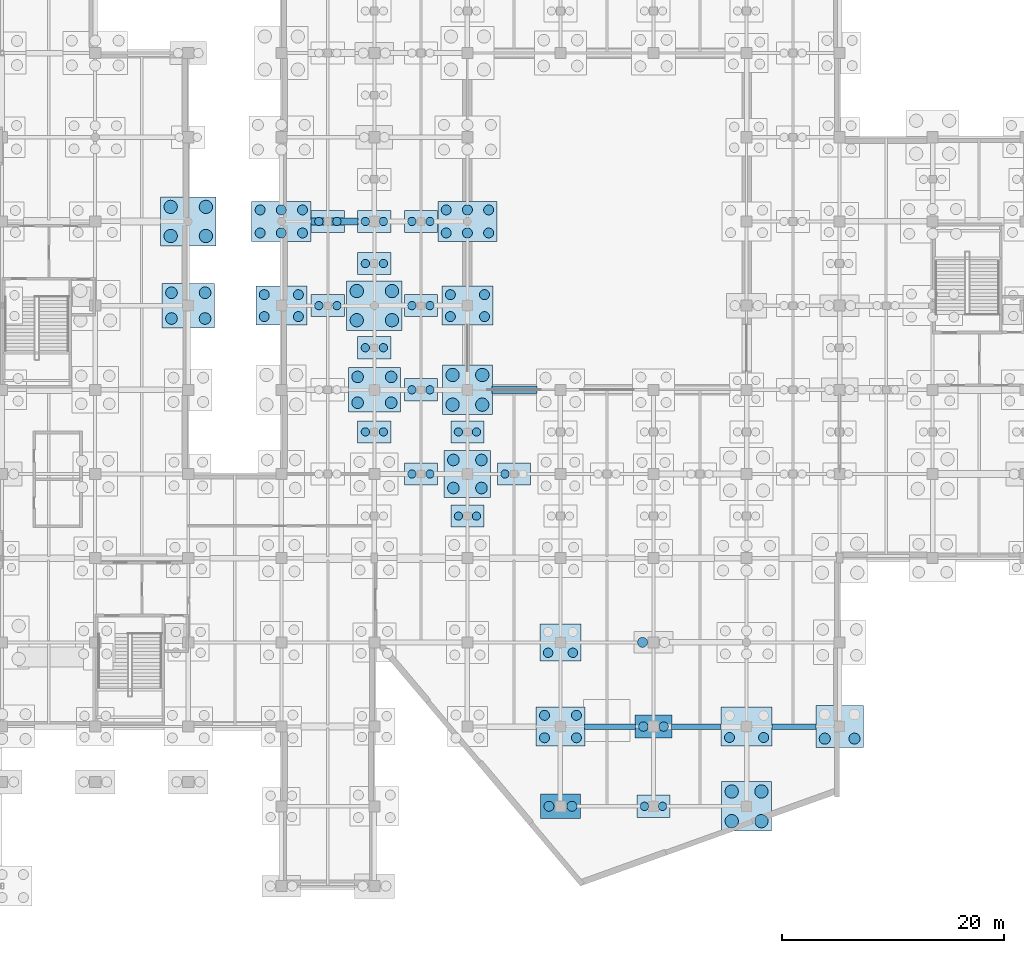
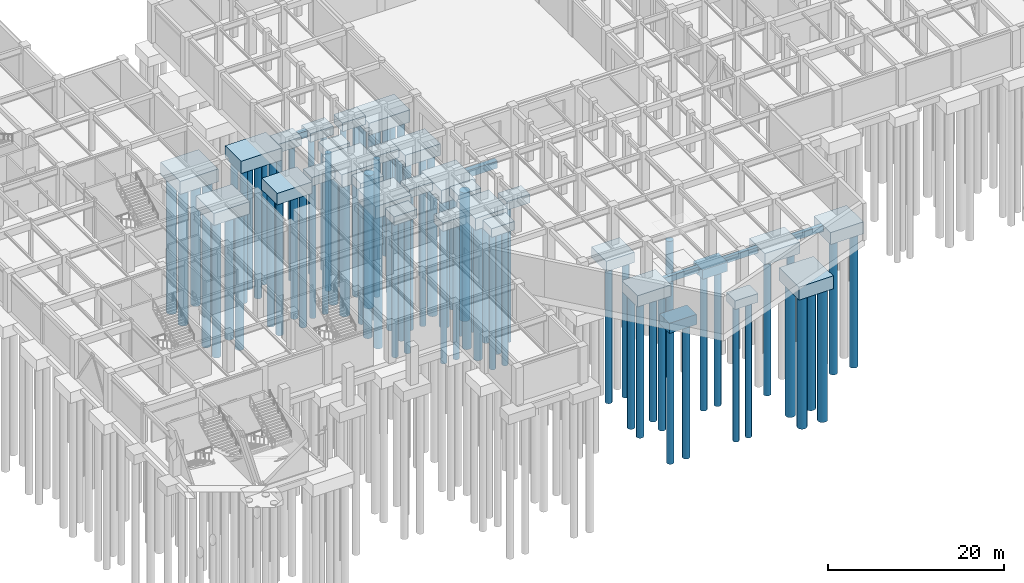
# One storey, part 4 of 52: 90 piles, 36 footings.
"""IFC4 building model written with IfcOpenShell, lengths in metres."""

from ifc_helpers import new_model, si_unit, direction, frame, origin, origin_2d, place, context, subcontext, project, spatial, rectangle, circle, extrude, material, material_profile, profile_set, type_object, element, save


model = new_model("IFC4")

# Units and contexts
model_context = context("Model", 3, precision=1e-05, world=origin(), true_north=direction((0.0, 1.0)))
body_context = subcontext(model_context, "Body", "Model", "MODEL_VIEW")
ifc_project = project(units=[si_unit("LENGTHUNIT", "METRE"), si_unit("AREAUNIT", "SQUARE_METRE"), si_unit("VOLUMEUNIT", "CUBIC_METRE"), si_unit("PLANEANGLEUNIT", "RADIAN"), si_unit("MASSUNIT", "GRAM", prefix="KILO")], contexts=[model_context])

# Site, building, storey
site_placement = place(None, origin())
site = spatial("IfcSite", under=ifc_project, at=site_placement, CompositionType="ELEMENT")
building_placement = place(site_placement, origin())
building = spatial("IfcBuilding", under=site, at=building_placement, Name="Xicomal Pleat Aquarium", CompositionType="ELEMENT")
storey_placement = place(building_placement, frame((0.0, 0.0, -5.39990234375)))
storey = spatial("IfcBuildingStorey", under=building, at=storey_placement, Name="B1", CompositionType="ELEMENT", Elevation=-5.39990234375)

# Footings
ifc_material_1 = material(Name="Concrete C40/50", Category="concrete")
ifc_material_profile_1 = material_profile(ifc_material_1, rectangle(XDim=0.5, YDim=0.800048828125, at=origin_2d()), Name="FB-01 500x800")
ifc_profile_set_1 = profile_set([ifc_material_profile_1], Name="Concrete C40/50")
footing_type_1 = type_object("IfcFootingType", Name="FTG-FB-500x800", PredefinedType="FOOTING_BEAM", material=ifc_profile_set_1)
footing_1_placement = place(storey_placement, frame((71.18994140625, 15.199951171875, -1.35009765625), z_axis=(1.0, 0.0, 0.0), x_axis=(0.0, 1.0, 0.0)))
element("IfcFooting", 1, at=footing_1_placement, inside=storey, type_object=footing_type_1, Name="Foundation tie beam 09-10/C", PredefinedType="FOOTING_BEAM", context=body_context, shape_type="SweptSolid", body=[
    extrude(rectangle(XDim=0.5, YDim=0.800048828125, at=origin_2d()), origin(), (0.0, 0.0, 1.0), 4.570068359375),
])
footing_2_placement = place(storey_placement, frame((79.0400390625, 15.199951171875, -1.35009765625), z_axis=(1.0, 0.0, 0.0), x_axis=(0.0, 1.0, 0.0)))
element("IfcFooting", 2, at=footing_2_placement, inside=storey, type_object=footing_type_1, Name="Foundation tie beam 10-11/C", PredefinedType="FOOTING_BEAM", context=body_context, shape_type="SweptSolid", body=[
    extrude(rectangle(XDim=0.5, YDim=0.800048828125, at=origin_2d()), origin(), (0.0, 0.0, 1.0), 4.469970703125),
])
footing_3_placement = place(storey_placement, frame((88.090087890625, 15.199951171875, -1.35009765625), z_axis=(1.0, 0.0, 0.0), x_axis=(0.0, 1.0, 0.0)))
element("IfcFooting", 3, at=footing_3_placement, inside=storey, type_object=footing_type_1, Name="Foundation tie beam 11-12/C", PredefinedType="FOOTING_BEAM", context=body_context, shape_type="SweptSolid", body=[
    extrude(rectangle(XDim=0.5, YDim=0.800048828125, at=origin_2d()), origin(), (0.0, 0.0, 1.0), 3.969970703125),
])
ifc_material_2 = material(Name="Concrete C40/50", Category="concrete")
ifc_material_profile_2 = material_profile(ifc_material_2, rectangle(XDim=0.60009765625, YDim=0.89990234375, at=origin_2d()), Name="FB-02 600x900")
ifc_profile_set_2 = profile_set([ifc_material_profile_2], Name="Concrete C40/50")
footing_type_2 = type_object("IfcFootingType", Name="FTG-FB-600x900", PredefinedType="FOOTING_BEAM", material=ifc_profile_set_2)
footing_4_placement = place(storey_placement, frame((46.465087890625, 60.800048828125, -1.400146484375), z_axis=(1.0, 0.0, 0.0), x_axis=(0.0, 1.0, 0.0)))
element("IfcFooting", 4, at=footing_4_placement, inside=storey, type_object=footing_type_2, Name="Foundation tie beam 06-07/J", PredefinedType="FOOTING_BEAM", context=body_context, shape_type="SweptSolid", body=[
    extrude(rectangle(XDim=0.60009765625, YDim=0.89990234375, at=origin_2d()), origin(), (0.0, 0.0, 1.0), 4.244873046875),
])
ifc_material_3 = material(Name="Concrete C40/50", Category="concrete")
ifc_material_profile_3 = material_profile(ifc_material_3, rectangle(XDim=0.64990234375, YDim=1.0, at=origin_2d()), Name="FB-03 650x1000")
ifc_profile_set_3 = profile_set([ifc_material_profile_3], Name="Concrete C40/50")
footing_type_3 = type_object("IfcFootingType", Name="FTG-FB-650x1000", PredefinedType="FOOTING_BEAM", material=ifc_profile_set_3)
footing_5_placement = place(storey_placement, frame((62.840087890625, 45.60009765625, -2.050048828125), z_axis=(1.0, 0.0, 0.0), x_axis=(0.0, 1.0, 0.0)))
element("IfcFooting", 5, at=footing_5_placement, inside=storey, type_object=footing_type_3, Name="Foundation tie beam 08-09/G", PredefinedType="FOOTING_BEAM", context=body_context, shape_type="SweptSolid", body=[
    extrude(rectangle(XDim=0.64990234375, YDim=1.0, at=origin_2d()), origin(), (0.0, 0.0, 1.0), 4.02001953125),
])
ifc_material_4 = material(Name="Concrete C40/50", Category="concrete")
footing_type_4 = type_object("IfcFootingType", Name="FTG-PC-3000x2000x1200", PredefinedType="PILE_CAP", material=ifc_material_4)
for number, where, z_axis, x_axis, name in (
    (6, (52.199951171875, 60.800048828125, -2.14990234375), (0.0, 0.0, 1.0), (1.0, 0.0, 0.0), "Pile cap 07-J"),
    (7, (77.39990234375, 8.0, -2.14990234375), (0.0, 0.0, 1.0), (1.0, 0.0, 0.0), "Pile cap 10-B"),
    (8, (48.0, 53.199951171875, -2.14990234375), (0.0, 0.0, 1.0), (1.0, 0.0, 0.0), "Pile cap SUB-03"),
    (9, (48.0, 60.800048828125, -2.14990234375), (0.0, 0.0, 1.0), (1.0, 0.0, 0.0), "Pile cap SUB-04"),
    (10, (56.39990234375, 38.0, -2.14990234375), (0.0, 0.0, 1.0), (1.0, 0.0, 0.0), "Pile cap SUB-06"),
    (11, (56.39990234375, 45.60009765625, -2.14990234375), (0.0, 0.0, 1.0), (1.0, 0.0, 0.0), "Pile cap SUB-07"),
    (12, (56.39990234375, 53.199951171875, -2.14990234375), (0.0, 0.0, 1.0), (1.0, 0.0, 0.0), "Pile cap SUB-08"),
    (13, (56.39990234375, 60.800048828125, -2.14990234375), (0.0, 0.0, 1.0), (1.0, 0.0, 0.0), "Pile cap SUB-09"),
    (14, (64.800048828125, 38.0, -2.14990234375), (0.0, 0.0, 1.0), (1.0, 0.0, 0.0), "Pile cap SUB-11"),
    (15, (52.199951171875, 41.800048828125, -2.14990234375), (0.0, 0.0, 1.0), (1.0, 0.0, 0.0), "Pile cap SUB-35"),
    (16, (52.199951171875, 49.39990234375, -2.14990234375), (0.0, 0.0, 1.0), (1.0, 0.0, 0.0), "Pile cap SUB-36"),
    (17, (52.199951171875, 57.0, -2.14990234375), (0.0, 0.0, 1.0), (1.0, 0.0, 0.0), "Pile cap SUB-37"),
    (18, (60.60009765625, 34.199951171875, -2.14990234375), (0.0, 0.0, 1.0), (1.0, 0.0, 0.0), "Pile cap SUB-41"),
    (19, (60.60009765625, 41.800048828125, -2.14990234375), (0.0, 0.0, 1.0), (1.0, 0.0, 0.0), "Pile cap SUB-42"),
):
    element("IfcFooting", number, at=place(storey_placement, frame(where, z_axis=z_axis, x_axis=x_axis)), inside=storey, type_object=footing_type_4, Name=name, PredefinedType="PILE_CAP", context=body_context, shape_type="SweptSolid", body=[
        extrude(rectangle(XDim=3.0, YDim=2.0, at=origin_2d()), origin(), (0.0, 0.0, 1.0), 1.199951171875),
    ])
ifc_material_5 = material(Name="Concrete C40/50", Category="concrete")
footing_type_5 = type_object("IfcFootingType", Name="FTG-PC-3300x2100x1300", PredefinedType="PILE_CAP", material=ifc_material_5)
footing_6_placement = place(storey_placement, frame((77.39990234375, 15.199951171875, -2.25), z_axis=(0.0, 0.0, 1.0), x_axis=(1.0, 0.0, 0.0)))
element("IfcFooting", 20, at=footing_6_placement, inside=storey, type_object=footing_type_5, Name="Pile cap 10-C", PredefinedType="PILE_CAP", context=body_context, shape_type="SweptSolid", body=[
    extrude(rectangle(XDim=3.300048828125, YDim=2.10009765625, at=origin_2d()), origin(), (0.0, 0.0, 1.0), 1.300048828125),
])
ifc_material_6 = material(Name="Concrete C40/50", Category="concrete")
footing_type_6 = type_object("IfcFootingType", Name="FTG-PC-3600x2200x1400", PredefinedType="PILE_CAP", material=ifc_material_6)
footing_7_placement = place(storey_placement, frame((69.0, 8.0, -2.35009765625), z_axis=(0.0, 0.0, 1.0), x_axis=(1.0, 0.0, 0.0)))
element("IfcFooting", 21, at=footing_7_placement, inside=storey, type_object=footing_type_6, Name="Pile cap 09-B", PredefinedType="PILE_CAP", context=body_context, shape_type="SweptSolid", body=[
    extrude(rectangle(XDim=3.60009765625, YDim=2.199951171875, at=origin_2d()), origin(), (0.0, 0.0, 1.0), 1.39990234375),
])
ifc_material_7 = material(Name="Concrete C40/50", Category="concrete")
footing_type_7 = type_object("IfcFootingType", Name="FTG-PC-3700x3350x1450", PredefinedType="PILE_CAP", material=ifc_material_7)
footing_8_placement = place(storey_placement, frame((69.0, 22.800048828125, -2.39990234375), z_axis=(0.0, 0.0, 1.0), x_axis=(1.0, 0.0, 0.0)))
element("IfcFooting", 22, at=footing_8_placement, inside=storey, type_object=footing_type_7, Name="Pile cap 09-D", PredefinedType="PILE_CAP", context=body_context, shape_type="SweptSolid", body=[
    extrude(rectangle(XDim=3.699951171875, YDim=3.35009765625, at=origin_2d()), origin(), (0.0, 0.0, 1.0), 1.449951171875),
])
ifc_material_8 = material(Name="Concrete C40/50", Category="concrete")
footing_type_8 = type_object("IfcFootingType", Name="FTG-PC-4200x4200x1650", PredefinedType="PILE_CAP", material=ifc_material_8)
footing_9_placement = place(storey_placement, frame((60.60009765625, 38.0, -2.60009765625), z_axis=(0.0, 0.0, 1.0), x_axis=(1.0, 0.0, 0.0)))
element("IfcFooting", 23, at=footing_9_placement, inside=storey, type_object=footing_type_8, Name="Pile cap 08-F", PredefinedType="PILE_CAP", context=body_context, shape_type="SweptSolid", body=[
    extrude(rectangle(XDim=4.199951171875, YDim=4.199951171875, at=origin_2d()), origin(), (0.0, 0.0, 1.0), 1.64990234375),
])
ifc_material_9 = material(Name="Concrete C40/50", Category="concrete")
footing_type_9 = type_object("IfcFootingType", Name="FTG-PC-4300x3800x1650", PredefinedType="PILE_CAP", material=ifc_material_9)
footing_10_placement = place(storey_placement, frame((94.199951171875, 15.199951171875, -2.60009765625), z_axis=(0.0, 0.0, 1.0), x_axis=(1.0, 0.0, 0.0)))
element("IfcFooting", 24, at=footing_10_placement, inside=storey, type_object=footing_type_9, Name="Pile cap 12-C", PredefinedType="PILE_CAP", context=body_context, shape_type="SweptSolid", body=[
    extrude(rectangle(XDim=4.300048828125, YDim=3.800048828125, at=origin_2d()), origin(), (0.0, 0.0, 1.0), 1.64990234375),
])
ifc_material_10 = material(Name="Concrete C40/50", Category="concrete")
footing_type_10 = type_object("IfcFootingType", Name="FTG-PC-4400x3550x1550", PredefinedType="PILE_CAP", material=ifc_material_10)
footing_11_placement = place(storey_placement, frame((69.0, 15.199951171875, -2.5), z_axis=(0.0, 0.0, 1.0), x_axis=(1.0, 0.0, 0.0)))
element("IfcFooting", 25, at=footing_11_placement, inside=storey, type_object=footing_type_10, Name="Pile cap 09-C", PredefinedType="PILE_CAP", context=body_context, shape_type="SweptSolid", body=[
    extrude(rectangle(XDim=4.39990234375, YDim=3.550048828125, at=origin_2d()), origin(), (0.0, 0.0, 1.0), 1.550048828125),
])
ifc_material_11 = material(Name="Concrete C40/50", Category="concrete")
footing_type_11 = type_object("IfcFootingType", Name="FTG-PC-4500x4500x1800", PredefinedType="PILE_CAP", material=ifc_material_11)
for number, where, z_axis, x_axis, name in (
    (26, (60.60009765625, 45.60009765625, -3.35009765625), (0.0, 0.0, 1.0), (1.0, 0.0, 0.0), "Pile cap 08-G"),
    (27, (85.800048828125, 8.0, -2.75), (0.0, 0.0, 1.0), (1.0, 0.0, 0.0), "Pile cap 11-B"),
):
    element("IfcFooting", number, at=place(storey_placement, frame(where, z_axis=z_axis, x_axis=x_axis)), inside=storey, type_object=footing_type_11, Name=name, PredefinedType="PILE_CAP", context=body_context, shape_type="SweptSolid", body=[
        extrude(rectangle(XDim=4.5, YDim=4.5, at=origin_2d()), origin(), (0.0, 0.0, 1.0), 1.800048828125),
    ])
ifc_material_12 = material(Name="Concrete C40/50", Category="concrete")
footing_type_12 = type_object("IfcFootingType", Name="FTG-PC-4600x3500x1600", PredefinedType="PILE_CAP", material=ifc_material_12)
for number, where, z_axis, x_axis, name in (
    (28, (43.800048828125, 53.199951171875, -2.550048828125), (0.0, 0.0, 1.0), (1.0, 0.0, 0.0), "Pile cap 06-H"),
    (29, (60.60009765625, 53.199951171875, -3.150146484375), (0.0, 0.0, 1.0), (1.0, 0.0, 0.0), "Pile cap 08-H"),
    (30, (85.800048828125, 15.199951171875, -2.550048828125), (0.0, 0.0, 1.0), (1.0, 0.0, 0.0), "Pile cap 11-C"),
):
    element("IfcFooting", number, at=place(storey_placement, frame(where, z_axis=z_axis, x_axis=x_axis)), inside=storey, type_object=footing_type_12, Name=name, PredefinedType="PILE_CAP", context=body_context, shape_type="SweptSolid", body=[
        extrude(rectangle(XDim=4.60009765625, YDim=3.5, at=origin_2d()), origin(), (0.0, 0.0, 1.0), 1.60009765625),
    ])
ifc_material_13 = material(Name="Concrete C40/50", Category="concrete")
footing_type_13 = type_object("IfcFootingType", Name="FTG-PC-4700x4000x1700", PredefinedType="PILE_CAP", material=ifc_material_13)
for number, where, z_axis, x_axis, name in (
    (31, (35.39990234375, 53.199951171875, -2.30029296875), (0.0, 0.0, 1.0), (1.0, 0.0, 0.0), "Pile cap 05-H"),
    (32, (52.199951171875, 45.60009765625, -2.64990234375), (0.0, 0.0, 1.0), (1.0, 0.0, 0.0), "Pile cap 07-G"),
):
    element("IfcFooting", number, at=place(storey_placement, frame(where, z_axis=z_axis, x_axis=x_axis)), inside=storey, type_object=footing_type_13, Name=name, PredefinedType="PILE_CAP", context=body_context, shape_type="SweptSolid", body=[
        extrude(rectangle(XDim=4.699951171875, YDim=4.0, at=origin_2d()), origin(), (0.0, 0.0, 1.0), 1.699951171875),
    ])
ifc_material_14 = material(Name="Concrete C40/50", Category="concrete")
footing_type_14 = type_object("IfcFootingType", Name="FTG-PC-5000x4450x1800", PredefinedType="PILE_CAP", material=ifc_material_14)
for number, where, z_axis, x_axis, name in (
    (33, (35.39990234375, 60.800048828125, -2.39990234375), (0.0, 0.0, 1.0), (1.0, 0.0, 0.0), "Pile cap 05-J"),
    (34, (52.199951171875, 53.199951171875, -2.75), (0.0, 0.0, 1.0), (1.0, 0.0, 0.0), "Pile cap 07-H"),
):
    element("IfcFooting", number, at=place(storey_placement, frame(where, z_axis=z_axis, x_axis=x_axis)), inside=storey, type_object=footing_type_14, Name=name, PredefinedType="PILE_CAP", context=body_context, shape_type="SweptSolid", body=[
        extrude(rectangle(XDim=5.0, YDim=4.449951171875, at=origin_2d()), origin(), (0.0, 0.0, 1.0), 1.800048828125),
    ])
ifc_material_15 = material(Name="Concrete C40/50", Category="concrete")
footing_type_15 = type_object("IfcFootingType", Name="FTG-PC-5350x3600x1700", PredefinedType="PILE_CAP", material=ifc_material_15)
for number, where, z_axis, x_axis, name in (
    (35, (43.800048828125, 60.800048828125, -2.64990234375), (0.0, 0.0, 1.0), (1.0, 0.0, 0.0), "Pile cap 06-J"),
    (36, (60.60009765625, 60.800048828125, -3.25), (0.0, 0.0, 1.0), (1.0, 0.0, 0.0), "Pile cap 08-J"),
):
    element("IfcFooting", number, at=place(storey_placement, frame(where, z_axis=z_axis, x_axis=x_axis)), inside=storey, type_object=footing_type_15, Name=name, PredefinedType="PILE_CAP", context=body_context, shape_type="SweptSolid", body=[
        extrude(rectangle(XDim=5.35009765625, YDim=3.60009765625, at=origin_2d()), origin(), (0.0, 0.0, 1.0), 1.699951171875),
    ])

# Piles
ifc_material_16 = material(Name="Concrete C40/50", Category="concrete")
ifc_material_profile_4 = material_profile(ifc_material_16, circle(Radius=0.5, at=origin_2d()), Name="BORED PILE D1000")
ifc_profile_set_4 = profile_set([ifc_material_profile_4], Name="Concrete C40/50")
pile_type_1 = type_object("IfcPileType", Name="PIL-B-1000", PredefinedType="BORED", material=ifc_profile_set_4)
for number, where, z_axis, x_axis, name in (
    (37, (92.860107421875, 14.110107421875, -2.5), (0.0, 0.0, -1.0), (1.0, 0.0, 0.0), "Bored pile 12-C-1"),
    (38, (95.5400390625, 14.110107421875, -2.5), (0.0, 0.0, -1.0), (1.0, 0.0, 0.0), "Bored pile 12-C-2"),
):
    element("IfcPile", number, at=place(storey_placement, frame(where, z_axis=z_axis, x_axis=x_axis)), inside=storey, type_object=pile_type_1, Name=name, PredefinedType="BORED", context=body_context, shape_type="SweptSolid", body=[
        extrude(circle(Radius=0.5, at=origin_2d()), origin(), (0.0, 0.0, 1.0), 18.60009765625),
    ])
ifc_material_17 = material(Name="Concrete C40/50", Category="concrete")
ifc_material_profile_5 = material_profile(ifc_material_17, circle(Radius=0.52490234375, at=origin_2d()), Name="BORED PILE D1050")
ifc_profile_set_5 = profile_set([ifc_material_profile_5], Name="Concrete C40/50")
pile_type_2 = type_object("IfcPileType", Name="PIL-B-1050", PredefinedType="BORED", material=ifc_profile_set_5)
for number, where, z_axis, x_axis, name in (
    (39, (33.885009765625, 52.034912109375, -2.2001953125), (0.0, 0.0, -1.0), (1.0, 0.0, 0.0), "Bored pile 05-H-1"),
    (40, (36.9150390625, 52.034912109375, -2.2001953125), (0.0, 0.0, -1.0), (1.0, 0.0, 0.0), "Bored pile 05-H-2"),
    (41, (33.885009765625, 54.364990234375, -2.2001953125), (0.0, 0.0, -1.0), (1.0, 0.0, 0.0), "Bored pile 05-H-3"),
    (42, (36.9150390625, 54.364990234375, -2.2001953125), (0.0, 0.0, -1.0), (1.0, 0.0, 0.0), "Bored pile 05-H-4"),
):
    element("IfcPile", number, at=place(storey_placement, frame(where, z_axis=z_axis, x_axis=x_axis)), inside=storey, type_object=pile_type_2, Name=name, PredefinedType="BORED", context=body_context, shape_type="SweptSolid", body=[
        extrude(circle(Radius=0.52490234375, at=origin_2d()), origin(), (0.0, 0.0, 1.0), 18.89990234375),
    ])
for number, where, z_axis, x_axis, name in (
    (43, (50.68505859375, 44.43505859375, -2.550048828125), (0.0, 0.0, -1.0), (1.0, 0.0, 0.0), "Bored pile 07-G-1"),
    (44, (53.715087890625, 44.43505859375, -2.550048828125), (0.0, 0.0, -1.0), (1.0, 0.0, 0.0), "Bored pile 07-G-2"),
    (45, (50.68505859375, 46.764892578125, -2.550048828125), (0.0, 0.0, -1.0), (1.0, 0.0, 0.0), "Bored pile 07-G-3"),
    (46, (53.715087890625, 46.764892578125, -2.550048828125), (0.0, 0.0, -1.0), (1.0, 0.0, 0.0), "Bored pile 07-G-4"),
):
    element("IfcPile", number, at=place(storey_placement, frame(where, z_axis=z_axis, x_axis=x_axis)), inside=storey, type_object=pile_type_2, Name=name, PredefinedType="BORED", context=body_context, shape_type="SweptSolid", body=[
        extrude(circle(Radius=0.52490234375, at=origin_2d()), origin(), (0.0, 0.0, 1.0), 18.550048828125),
    ])
for number, where, z_axis, x_axis, name in (
    (47, (59.3349609375, 36.735107421875, -2.5), (0.0, 0.0, -1.0), (1.0, 0.0, 0.0), "Bored pile 08-F-1"),
    (48, (61.864990234375, 36.735107421875, -2.5), (0.0, 0.0, -1.0), (1.0, 0.0, 0.0), "Bored pile 08-F-2"),
    (49, (59.3349609375, 39.264892578125, -2.5), (0.0, 0.0, -1.0), (1.0, 0.0, 0.0), "Bored pile 08-F-3"),
    (50, (61.864990234375, 39.264892578125, -2.5), (0.0, 0.0, -1.0), (1.0, 0.0, 0.0), "Bored pile 08-F-4"),
):
    element("IfcPile", number, at=place(storey_placement, frame(where, z_axis=z_axis, x_axis=x_axis)), inside=storey, type_object=pile_type_2, Name=name, PredefinedType="BORED", context=body_context, shape_type="SweptSolid", body=[
        extrude(circle(Radius=0.52490234375, at=origin_2d()), origin(), (0.0, 0.0, 1.0), 18.60009765625),
    ])
ifc_material_18 = material(Name="Concrete C40/50", Category="concrete")
ifc_material_profile_6 = material_profile(ifc_material_18, circle(Radius=0.60009765625, at=origin_2d()), Name="BORED PILE D1200")
ifc_profile_set_6 = profile_set([ifc_material_profile_6], Name="Concrete C40/50")
pile_type_3 = type_object("IfcPileType", Name="PIL-B-1200", PredefinedType="BORED", material=ifc_profile_set_6)
for number, where, z_axis, x_axis, name in (
    (51, (33.81005859375, 59.485107421875, -2.300048828125), (0.0, 0.0, -1.0), (1.0, 0.0, 0.0), "Bored pile 05-J-1"),
    (52, (36.989990234375, 59.485107421875, -2.300048828125), (0.0, 0.0, -1.0), (1.0, 0.0, 0.0), "Bored pile 05-J-2"),
    (53, (33.81005859375, 62.114990234375, -2.300048828125), (0.0, 0.0, -1.0), (1.0, 0.0, 0.0), "Bored pile 05-J-3"),
    (54, (36.989990234375, 62.114990234375, -2.300048828125), (0.0, 0.0, -1.0), (1.0, 0.0, 0.0), "Bored pile 05-J-4"),
):
    element("IfcPile", number, at=place(storey_placement, frame(where, z_axis=z_axis, x_axis=x_axis)), inside=storey, type_object=pile_type_3, Name=name, PredefinedType="BORED", context=body_context, shape_type="SweptSolid", body=[
        extrude(circle(Radius=0.60009765625, at=origin_2d()), origin(), (0.0, 0.0, 1.0), 18.800048828125),
    ])
for number, where, z_axis, x_axis, name in (
    (55, (50.610107421875, 51.885009765625, -2.650146484375), (0.0, 0.0, -1.0), (1.0, 0.0, 0.0), "Bored pile 07-H-1"),
    (56, (53.7900390625, 51.885009765625, -2.650146484375), (0.0, 0.0, -1.0), (1.0, 0.0, 0.0), "Bored pile 07-H-2"),
    (57, (50.610107421875, 54.514892578125, -2.650146484375), (0.0, 0.0, -1.0), (1.0, 0.0, 0.0), "Bored pile 07-H-3"),
    (58, (53.7900390625, 54.514892578125, -2.650146484375), (0.0, 0.0, -1.0), (1.0, 0.0, 0.0), "Bored pile 07-H-4"),
):
    element("IfcPile", number, at=place(storey_placement, frame(where, z_axis=z_axis, x_axis=x_axis)), inside=storey, type_object=pile_type_3, Name=name, PredefinedType="BORED", context=body_context, shape_type="SweptSolid", body=[
        extrude(circle(Radius=0.60009765625, at=origin_2d()), origin(), (0.0, 0.0, 1.0), 18.449951171875),
    ])
for number, where, z_axis, x_axis, name in (
    (59, (59.260009765625, 44.260009765625, -3.25), (0.0, 0.0, -1.0), (1.0, 0.0, 0.0), "Bored pile 08-G-1"),
    (60, (61.93994140625, 44.260009765625, -3.25), (0.0, 0.0, -1.0), (1.0, 0.0, 0.0), "Bored pile 08-G-2"),
    (61, (59.260009765625, 46.93994140625, -3.25), (0.0, 0.0, -1.0), (1.0, 0.0, 0.0), "Bored pile 08-G-3"),
    (62, (61.93994140625, 46.93994140625, -3.25), (0.0, 0.0, -1.0), (1.0, 0.0, 0.0), "Bored pile 08-G-4"),
):
    element("IfcPile", number, at=place(storey_placement, frame(where, z_axis=z_axis, x_axis=x_axis)), inside=storey, type_object=pile_type_3, Name=name, PredefinedType="BORED", context=body_context, shape_type="SweptSolid", body=[
        extrude(circle(Radius=0.60009765625, at=origin_2d()), origin(), (0.0, 0.0, 1.0), 17.85009765625),
    ])
for number, where, z_axis, x_axis, name in (
    (63, (84.4599609375, 6.659912109375, -2.650146484375), (0.0, 0.0, -1.0), (1.0, 0.0, 0.0), "Bored pile 11-B-1"),
    (64, (87.139892578125, 6.659912109375, -2.650146484375), (0.0, 0.0, -1.0), (1.0, 0.0, 0.0), "Bored pile 11-B-2"),
    (65, (84.4599609375, 9.340087890625, -2.650146484375), (0.0, 0.0, -1.0), (1.0, 0.0, 0.0), "Bored pile 11-B-3"),
    (66, (87.139892578125, 9.340087890625, -2.650146484375), (0.0, 0.0, -1.0), (1.0, 0.0, 0.0), "Bored pile 11-B-4"),
):
    element("IfcPile", number, at=place(storey_placement, frame(where, z_axis=z_axis, x_axis=x_axis)), inside=storey, type_object=pile_type_3, Name=name, PredefinedType="BORED", context=body_context, shape_type="SweptSolid", body=[
        extrude(circle(Radius=0.60009765625, at=origin_2d()), origin(), (0.0, 0.0, 1.0), 18.449951171875),
    ])
ifc_material_19 = material(Name="Concrete C40/50", Category="concrete")
ifc_material_profile_7 = material_profile(ifc_material_19, circle(Radius=0.375, at=origin_2d()), Name="BORED PILE D750")
ifc_profile_set_7 = profile_set([ifc_material_profile_7], Name="Concrete C40/50")
pile_type_4 = type_object("IfcPileType", Name="PIL-B-750", PredefinedType="BORED", material=ifc_profile_set_7)
for number, where, z_axis, x_axis, name in (
    (67, (51.385009765625, 60.800048828125, -2.050048828125), (0.0, 0.0, -1.0), (1.0, 0.0, 0.0), "Bored pile 07-J-1"),
    (68, (53.014892578125, 60.800048828125, -2.050048828125), (0.0, 0.0, -1.0), (1.0, 0.0, 0.0), "Bored pile 07-J-2"),
    (69, (76.5849609375, 8.0, -2.050048828125), (0.0, 0.0, -1.0), (1.0, 0.0, 0.0), "Bored pile 10-B-1"),
    (70, (78.215087890625, 8.0, -2.050048828125), (0.0, 0.0, -1.0), (1.0, 0.0, 0.0), "Bored pile 10-B-2"),
    (71, (47.18505859375, 53.199951171875, -2.050048828125), (0.0, 0.0, -1.0), (1.0, 0.0, 0.0), "Bored pile SUB-03-1"),
    (72, (48.81494140625, 53.199951171875, -2.050048828125), (0.0, 0.0, -1.0), (1.0, 0.0, 0.0), "Bored pile SUB-03-2"),
    (73, (47.18505859375, 60.800048828125, -2.050048828125), (0.0, 0.0, -1.0), (1.0, 0.0, 0.0), "Bored pile SUB-04-1"),
    (74, (48.81494140625, 60.800048828125, -2.050048828125), (0.0, 0.0, -1.0), (1.0, 0.0, 0.0), "Bored pile SUB-04-2"),
    (75, (55.5849609375, 38.0, -2.050048828125), (0.0, 0.0, -1.0), (1.0, 0.0, 0.0), "Bored pile SUB-06-1"),
    (76, (57.215087890625, 38.0, -2.050048828125), (0.0, 0.0, -1.0), (1.0, 0.0, 0.0), "Bored pile SUB-06-2"),
    (77, (55.5849609375, 45.60009765625, -2.050048828125), (0.0, 0.0, -1.0), (1.0, 0.0, 0.0), "Bored pile SUB-07-1"),
    (78, (57.215087890625, 45.60009765625, -2.050048828125), (0.0, 0.0, -1.0), (1.0, 0.0, 0.0), "Bored pile SUB-07-2"),
    (79, (55.5849609375, 53.199951171875, -2.050048828125), (0.0, 0.0, -1.0), (1.0, 0.0, 0.0), "Bored pile SUB-08-1"),
    (80, (57.215087890625, 53.199951171875, -2.050048828125), (0.0, 0.0, -1.0), (1.0, 0.0, 0.0), "Bored pile SUB-08-2"),
    (81, (55.5849609375, 60.800048828125, -2.050048828125), (0.0, 0.0, -1.0), (1.0, 0.0, 0.0), "Bored pile SUB-09-1"),
    (82, (57.215087890625, 60.800048828125, -2.050048828125), (0.0, 0.0, -1.0), (1.0, 0.0, 0.0), "Bored pile SUB-09-2"),
    (83, (63.985107421875, 38.0, -2.050048828125), (0.0, 0.0, -1.0), (1.0, 0.0, 0.0), "Bored pile SUB-11-1"),
    (84, (51.385009765625, 41.800048828125, -2.050048828125), (0.0, 0.0, -1.0), (1.0, 0.0, 0.0), "Bored pile SUB-35-1"),
    (85, (53.014892578125, 41.800048828125, -2.050048828125), (0.0, 0.0, -1.0), (1.0, 0.0, 0.0), "Bored pile SUB-35-2"),
    (86, (51.385009765625, 49.39990234375, -2.050048828125), (0.0, 0.0, -1.0), (1.0, 0.0, 0.0), "Bored pile SUB-36-1"),
    (87, (53.014892578125, 49.39990234375, -2.050048828125), (0.0, 0.0, -1.0), (1.0, 0.0, 0.0), "Bored pile SUB-36-2"),
    (88, (51.385009765625, 57.0, -2.050048828125), (0.0, 0.0, -1.0), (1.0, 0.0, 0.0), "Bored pile SUB-37-1"),
    (89, (53.014892578125, 57.0, -2.050048828125), (0.0, 0.0, -1.0), (1.0, 0.0, 0.0), "Bored pile SUB-37-2"),
    (90, (59.784912109375, 34.199951171875, -2.050048828125), (0.0, 0.0, -1.0), (1.0, 0.0, 0.0), "Bored pile SUB-41-1"),
    (91, (61.4150390625, 34.199951171875, -2.050048828125), (0.0, 0.0, -1.0), (1.0, 0.0, 0.0), "Bored pile SUB-41-2"),
    (92, (59.784912109375, 41.800048828125, -2.050048828125), (0.0, 0.0, -1.0), (1.0, 0.0, 0.0), "Bored pile SUB-42-1"),
    (93, (61.4150390625, 41.800048828125, -2.050048828125), (0.0, 0.0, -1.0), (1.0, 0.0, 0.0), "Bored pile SUB-42-2"),
):
    element("IfcPile", number, at=place(storey_placement, frame(where, z_axis=z_axis, x_axis=x_axis)), inside=storey, type_object=pile_type_4, Name=name, PredefinedType="BORED", context=body_context, shape_type="SweptSolid", body=[
        extrude(circle(Radius=0.375, at=origin_2d()), origin(), (0.0, 0.0, 1.0), 19.050048828125),
    ])
ifc_material_20 = material(Name="Concrete C40/50", Category="concrete")
ifc_material_profile_8 = material_profile(ifc_material_20, circle(Radius=0.425048828125, at=origin_2d()), Name="BORED PILE D850")
ifc_profile_set_8 = profile_set([ifc_material_profile_8], Name="Concrete C40/50")
pile_type_5 = type_object("IfcPileType", Name="PIL-B-850", PredefinedType="BORED", material=ifc_profile_set_8)
for number, where, z_axis, x_axis, name in (
    (94, (67.885009765625, 21.860107421875, -2.300048828125), (0.0, 0.0, -1.0), (1.0, 0.0, 0.0), "Bored pile 09-D-1"),
    (95, (70.114990234375, 21.860107421875, -2.300048828125), (0.0, 0.0, -1.0), (1.0, 0.0, 0.0), "Bored pile 09-D-2"),
):
    element("IfcPile", number, at=place(storey_placement, frame(where, z_axis=z_axis, x_axis=x_axis)), inside=storey, type_object=pile_type_5, Name=name, PredefinedType="BORED", context=body_context, shape_type="SweptSolid", body=[
        extrude(circle(Radius=0.425048828125, at=origin_2d()), origin(), (0.0, 0.0, 1.0), 18.800048828125),
    ])
for number, where, z_axis, x_axis, name in (
    (96, (76.485107421875, 15.199951171875, -2.150146484375), (0.0, 0.0, -1.0), (1.0, 0.0, 0.0), "Bored pile 10-C-1"),
    (97, (78.31494140625, 15.199951171875, -2.150146484375), (0.0, 0.0, -1.0), (1.0, 0.0, 0.0), "Bored pile 10-C-2"),
):
    element("IfcPile", number, at=place(storey_placement, frame(where, z_axis=z_axis, x_axis=x_axis)), inside=storey, type_object=pile_type_5, Name=name, PredefinedType="BORED", context=body_context, shape_type="SweptSolid", body=[
        extrude(circle(Radius=0.425048828125, at=origin_2d()), origin(), (0.0, 0.0, 1.0), 18.949951171875),
    ])
ifc_material_21 = material(Name="Concrete C40/50", Category="concrete")
ifc_material_profile_9 = material_profile(ifc_material_21, circle(Radius=0.449951171875, at=origin_2d()), Name="BORED PILE D900")
ifc_profile_set_9 = profile_set([ifc_material_profile_9], Name="Concrete C40/50")
pile_type_6 = type_object("IfcPileType", Name="PIL-B-900", PredefinedType="BORED", material=ifc_profile_set_9)
for number, where, z_axis, x_axis, name in (
    (98, (42.260009765625, 52.2099609375, -2.4501953125), (0.0, 0.0, -1.0), (1.0, 0.0, 0.0), "Bored pile 06-H-1"),
    (99, (45.340087890625, 52.2099609375, -2.4501953125), (0.0, 0.0, -1.0), (1.0, 0.0, 0.0), "Bored pile 06-H-2"),
    (100, (42.260009765625, 54.18994140625, -2.4501953125), (0.0, 0.0, -1.0), (1.0, 0.0, 0.0), "Bored pile 06-H-3"),
    (101, (45.340087890625, 54.18994140625, -2.4501953125), (0.0, 0.0, -1.0), (1.0, 0.0, 0.0), "Bored pile 06-H-4"),
):
    element("IfcPile", number, at=place(storey_placement, frame(where, z_axis=z_axis, x_axis=x_axis)), inside=storey, type_object=pile_type_6, Name=name, PredefinedType="BORED", context=body_context, shape_type="SweptSolid", body=[
        extrude(circle(Radius=0.449951171875, at=origin_2d()), origin(), (0.0, 0.0, 1.0), 18.64990234375),
    ])
for number, where, z_axis, x_axis, name in (
    (102, (41.885009765625, 59.760009765625, -2.550048828125), (0.0, 0.0, -1.0), (1.0, 0.0, 0.0), "Bored pile 06-J-1"),
    (103, (43.800048828125, 59.760009765625, -2.550048828125), (0.0, 0.0, -1.0), (1.0, 0.0, 0.0), "Bored pile 06-J-2"),
    (104, (45.715087890625, 59.760009765625, -2.550048828125), (0.0, 0.0, -1.0), (1.0, 0.0, 0.0), "Bored pile 06-J-3"),
    (105, (41.885009765625, 61.840087890625, -2.550048828125), (0.0, 0.0, -1.0), (1.0, 0.0, 0.0), "Bored pile 06-J-4"),
    (106, (43.800048828125, 61.840087890625, -2.550048828125), (0.0, 0.0, -1.0), (1.0, 0.0, 0.0), "Bored pile 06-J-5"),
    (107, (45.715087890625, 61.840087890625, -2.550048828125), (0.0, 0.0, -1.0), (1.0, 0.0, 0.0), "Bored pile 06-J-6"),
):
    element("IfcPile", number, at=place(storey_placement, frame(where, z_axis=z_axis, x_axis=x_axis)), inside=storey, type_object=pile_type_6, Name=name, PredefinedType="BORED", context=body_context, shape_type="SweptSolid", body=[
        extrude(circle(Radius=0.449951171875, at=origin_2d()), origin(), (0.0, 0.0, 1.0), 18.550048828125),
    ])
for number, where, z_axis, x_axis, name in (
    (108, (59.06005859375, 52.2099609375, -3.050048828125), (0.0, 0.0, -1.0), (1.0, 0.0, 0.0), "Bored pile 08-H-1"),
    (109, (62.139892578125, 52.2099609375, -3.050048828125), (0.0, 0.0, -1.0), (1.0, 0.0, 0.0), "Bored pile 08-H-2"),
    (110, (59.06005859375, 54.18994140625, -3.050048828125), (0.0, 0.0, -1.0), (1.0, 0.0, 0.0), "Bored pile 08-H-3"),
    (111, (62.139892578125, 54.18994140625, -3.050048828125), (0.0, 0.0, -1.0), (1.0, 0.0, 0.0), "Bored pile 08-H-4"),
):
    element("IfcPile", number, at=place(storey_placement, frame(where, z_axis=z_axis, x_axis=x_axis)), inside=storey, type_object=pile_type_6, Name=name, PredefinedType="BORED", context=body_context, shape_type="SweptSolid", body=[
        extrude(circle(Radius=0.449951171875, at=origin_2d()), origin(), (0.0, 0.0, 1.0), 18.050048828125),
    ])
for number, where, z_axis, x_axis, name in (
    (112, (58.68505859375, 59.760009765625, -3.150146484375), (0.0, 0.0, -1.0), (1.0, 0.0, 0.0), "Bored pile 08-J-1"),
    (113, (60.60009765625, 59.760009765625, -3.150146484375), (0.0, 0.0, -1.0), (1.0, 0.0, 0.0), "Bored pile 08-J-2"),
    (114, (62.514892578125, 59.760009765625, -3.150146484375), (0.0, 0.0, -1.0), (1.0, 0.0, 0.0), "Bored pile 08-J-3"),
    (115, (58.68505859375, 61.840087890625, -3.150146484375), (0.0, 0.0, -1.0), (1.0, 0.0, 0.0), "Bored pile 08-J-4"),
    (116, (60.60009765625, 61.840087890625, -3.150146484375), (0.0, 0.0, -1.0), (1.0, 0.0, 0.0), "Bored pile 08-J-5"),
    (117, (62.514892578125, 61.840087890625, -3.150146484375), (0.0, 0.0, -1.0), (1.0, 0.0, 0.0), "Bored pile 08-J-6"),
):
    element("IfcPile", number, at=place(storey_placement, frame(where, z_axis=z_axis, x_axis=x_axis)), inside=storey, type_object=pile_type_6, Name=name, PredefinedType="BORED", context=body_context, shape_type="SweptSolid", body=[
        extrude(circle(Radius=0.449951171875, at=origin_2d()), origin(), (0.0, 0.0, 1.0), 17.949951171875),
    ])
for number, where, z_axis, x_axis, name in (
    (118, (67.9599609375, 8.0, -2.25), (0.0, 0.0, -1.0), (1.0, 0.0, 0.0), "Bored pile 09-B-1"),
    (119, (70.0400390625, 8.0, -2.25), (0.0, 0.0, -1.0), (1.0, 0.0, 0.0), "Bored pile 09-B-2"),
):
    element("IfcPile", number, at=place(storey_placement, frame(where, z_axis=z_axis, x_axis=x_axis)), inside=storey, type_object=pile_type_6, Name=name, PredefinedType="BORED", context=body_context, shape_type="SweptSolid", body=[
        extrude(circle(Radius=0.449951171875, at=origin_2d()), origin(), (0.0, 0.0, 1.0), 18.85009765625),
    ])
for number, where, z_axis, x_axis, name in (
    (120, (67.56005859375, 14.18505859375, -2.400146484375), (0.0, 0.0, -1.0), (1.0, 0.0, 0.0), "Bored pile 09-C-1"),
    (121, (70.43994140625, 14.18505859375, -2.400146484375), (0.0, 0.0, -1.0), (1.0, 0.0, 0.0), "Bored pile 09-C-2"),
    (122, (67.56005859375, 16.215087890625, -2.400146484375), (0.0, 0.0, -1.0), (1.0, 0.0, 0.0), "Bored pile 09-C-3"),
    (123, (70.43994140625, 16.215087890625, -2.400146484375), (0.0, 0.0, -1.0), (1.0, 0.0, 0.0), "Bored pile 09-C-4"),
):
    element("IfcPile", number, at=place(storey_placement, frame(where, z_axis=z_axis, x_axis=x_axis)), inside=storey, type_object=pile_type_6, Name=name, PredefinedType="BORED", context=body_context, shape_type="SweptSolid", body=[
        extrude(circle(Radius=0.449951171875, at=origin_2d()), origin(), (0.0, 0.0, 1.0), 18.699951171875),
    ])
pile_placement = place(storey_placement, frame((76.409912109375, 22.800048828125, -2.150146484375), z_axis=(0.0, 0.0, -1.0), x_axis=(1.0, 0.0, 0.0)))
element("IfcPile", 124, at=pile_placement, inside=storey, type_object=pile_type_6, Name="Bored pile 10-D-1", PredefinedType="BORED", context=body_context, shape_type="SweptSolid", body=[
    extrude(circle(Radius=0.449951171875, at=origin_2d()), origin(), (0.0, 0.0, 1.0), 18.949951171875),
])
for number, where, z_axis, x_axis, name in (
    (125, (84.260009765625, 14.2099609375, -2.4501953125), (0.0, 0.0, -1.0), (1.0, 0.0, 0.0), "Bored pile 11-C-1"),
    (126, (87.340087890625, 14.2099609375, -2.4501953125), (0.0, 0.0, -1.0), (1.0, 0.0, 0.0), "Bored pile 11-C-2"),
):
    element("IfcPile", number, at=place(storey_placement, frame(where, z_axis=z_axis, x_axis=x_axis)), inside=storey, type_object=pile_type_6, Name=name, PredefinedType="BORED", context=body_context, shape_type="SweptSolid", body=[
        extrude(circle(Radius=0.449951171875, at=origin_2d()), origin(), (0.0, 0.0, 1.0), 18.64990234375),
    ])

save(model, "model.ifc")
